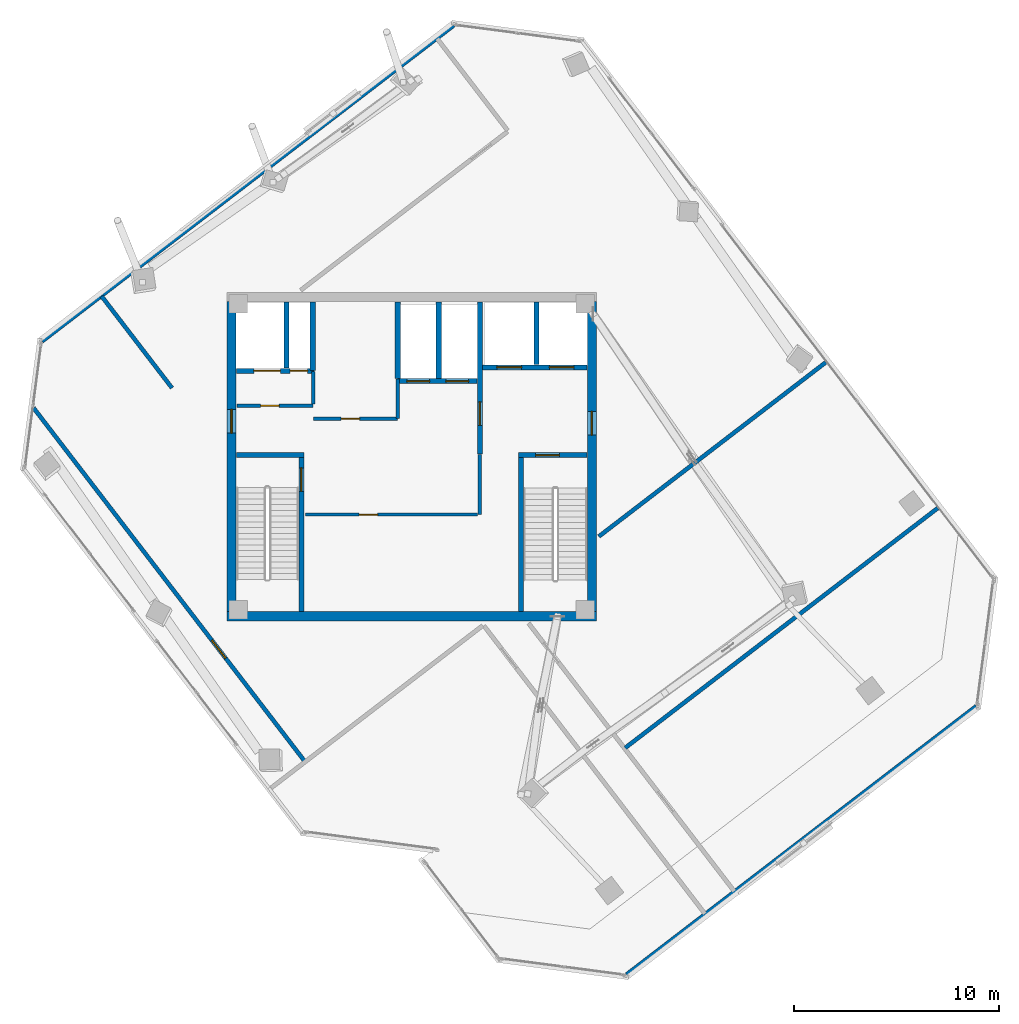
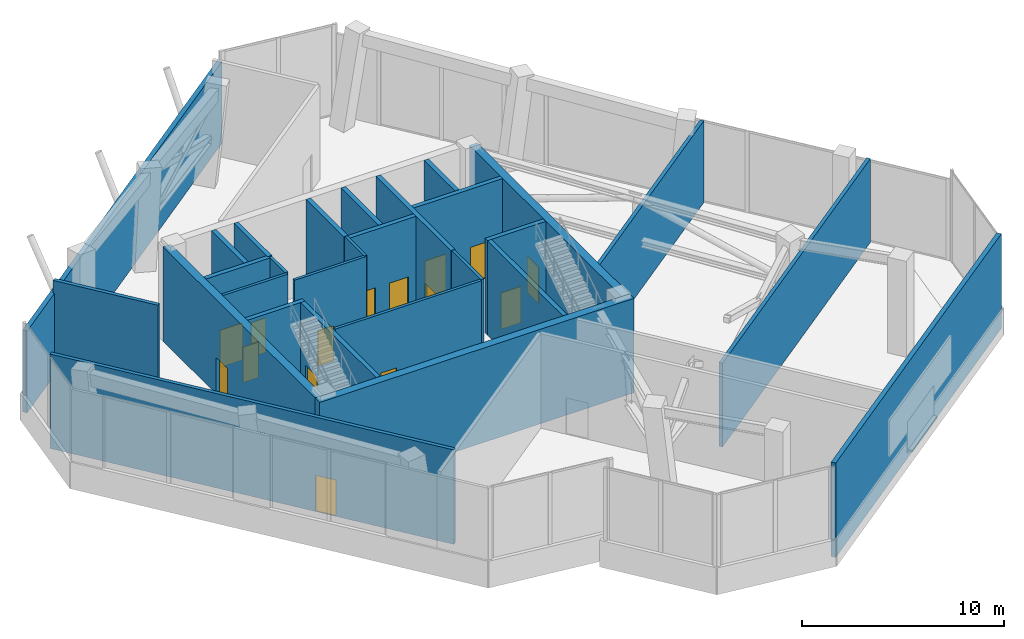
# One storey, part 15 of 19: 28 walls, 15 doors, 15 openings.
"""IFC4 building model written with IfcOpenShell, lengths in metres."""

from ifc_helpers import new_model, si_unit, direction, frame, frame_2d, origin, place, context, subcontext, project, spatial, rectangle, extrude, source, transform, mapped, material, layer, layer_set, type_object, element, fill, save


model = new_model("IFC4")

# Units and contexts
model_context = context("Model", 3, precision=1e-05, world=origin(), true_north=direction((0.0, 1.0)))
body_context = subcontext(model_context, "Body", "Model", "MODEL_VIEW")
ifc_project = project(units=[si_unit("LENGTHUNIT", "METRE"), si_unit("AREAUNIT", "SQUARE_METRE"), si_unit("VOLUMEUNIT", "CUBIC_METRE"), si_unit("PLANEANGLEUNIT", "RADIAN"), si_unit("MASSUNIT", "GRAM", prefix="KILO")], contexts=[model_context])

# Site, building, storey
site_placement = place(None, origin())
site = spatial("IfcSite", under=ifc_project, at=site_placement, CompositionType="ELEMENT")
building_placement = place(site_placement, origin())
building = spatial("IfcBuilding", under=site, at=building_placement, Name="Torre Montelarca", CompositionType="ELEMENT")
storey_placement = place(building_placement, frame((0.0, 0.0, 287.800048828125)))
storey = spatial("IfcBuildingStorey", under=building, at=storey_placement, Name="L65", CompositionType="ELEMENT", Elevation=287.800048828125)

# Wall, opening, door
ifc_material_1 = material(Name="Concrete C40/50", Category="concrete")
ifc_layer_1 = layer(ifc_material_1, 0.25, Name="Concrete C40/50", Category="concrete")
ifc_layer_set_1 = layer_set([ifc_layer_1], Name="Concrete C40/50")
wall_type_1 = type_object("IfcWallType", Name="CW-SHAFT-250", PredefinedType="SHEAR", material=ifc_layer_set_1)
wall_1_placement = place(storey_placement, frame((12.625, 24.4599609375, 0.0), z_axis=(0.0, 0.0, 1.0), x_axis=(0.0, 1.0, 0.0)))
wall_1 = element("IfcWall", 1, at=wall_1_placement, inside=storey, type_object=wall_type_1, Name="L65 Core Shear Wall SH-ST1-E", PredefinedType="SHEAR", context=body_context, shape_type="SweptSolid", body=[
    extrude(rectangle(XDim=7.489990234375, YDim=0.25, at=frame_2d((3.7451171875, 0.0))), origin(), (0.0, 0.0, 1.0), 5.719970703125),
])
opening_1_placement = place(wall_1_placement, frame((5.85009765625, 0.0, 0.0)))
opening_1 = element("IfcOpeningElement", 2, at=opening_1_placement, cuts=wall_1, Name="Opening FD-ST1", PredefinedType="OPENING", context=body_context, shape_type="SweptSolid", body=[
    extrude(rectangle(XDim=1.14990234375, YDim=2.199951171875, at=frame_2d((0.574951171875, 1.10009765625))), frame((0.0, 0.135009765625, 0.0), z_axis=(0.0, -1.0, 0.0), x_axis=(1.0, 0.0, 0.0)), (0.0, 0.0, 1.0), 0.27001953125),
])
ifc_material_2 = material(Name="Galvanized steel fire door", Category="steel")
door_type_1 = type_object("IfcDoorType", Name="DR-STAIR-115", OperationType="NOTDEFINED", PredefinedType="DOOR", material=ifc_material_2)
shared_shape_1 = source(origin(), body_context, "Body", "SweptSolid", [
    extrude(rectangle(XDim=1.14990234375, YDim=2.199951171875, at=frame_2d((0.574951171875, 1.10009765625))), frame((0.0, 0.02490234375, 0.0), z_axis=(0.0, -1.0, 0.0), x_axis=(1.0, 0.0, 0.0)), (0.0, 0.0, 1.0), 0.050048828125),
])
door_1_placement = place(opening_1_placement, origin())
door_1 = element("IfcDoor", 3, at=door_1_placement, inside=storey, type_object=door_type_1, Name="L65 Exit Stair ST1 Fire Door", OperationType="SINGLE_SWING_RIGHT", OverallHeight=2.199951171875, OverallWidth=1.14990234375, PredefinedType="DOOR", context=body_context, shape_type="MappedRepresentation", body=[
    mapped(shared_shape_1, transform((0.0, 0.0, 0.0), scale=1.0)),
])
fill(opening_1, door_1)

# Walls
wall_2_placement = place(storey_placement, frame((9.4599609375, 32.074951171875, 0.0), z_axis=(0.0, 0.0, 1.0), x_axis=(1.0, 0.0, 0.0)))
element("IfcWall", 4, at=wall_2_placement, inside=storey, type_object=wall_type_1, Name="L65 Core Shear Wall SH-ST1-N", PredefinedType="SHEAR", context=body_context, shape_type="SweptSolid", body=[
    extrude(rectangle(XDim=3.2900390625, YDim=0.25, at=frame_2d((1.64501953125, 0.0))), origin(), (0.0, 0.0, 1.0), 5.719970703125),
])
wall_3_placement = place(storey_placement, frame((23.31494140625, 24.4599609375, 0.0), z_axis=(0.0, 0.0, 1.0), x_axis=(0.0, 1.0, 0.0)))
element("IfcWall", 5, at=wall_3_placement, inside=storey, type_object=wall_type_1, Name="L65 Core Shear Wall SH-ST2-W", PredefinedType="SHEAR", context=body_context, shape_type="SweptSolid", body=[
    extrude(rectangle(XDim=7.489990234375, YDim=0.25, at=frame_2d((3.7451171875, 0.0))), origin(), (0.0, 0.0, 1.0), 5.719970703125),
])

# Wall, opening, door
wall_4_placement = place(storey_placement, frame((23.18994140625, 32.074951171875, 0.0), z_axis=(0.0, 0.0, 1.0), x_axis=(1.0, 0.0, 0.0)))
wall_4 = element("IfcWall", 6, at=wall_4_placement, inside=storey, type_object=wall_type_1, Name="L65 Core Shear Wall SH-ST2-N", PredefinedType="SHEAR", context=body_context, shape_type="SweptSolid", body=[
    extrude(rectangle(XDim=3.35009765625, YDim=0.25, at=frame_2d((1.675048828125, 0.0))), origin(), (0.0, 0.0, 1.0), 5.719970703125),
])
opening_2_placement = place(wall_4_placement, frame((0.85009765625, 0.0, 0.0)))
opening_2 = element("IfcOpeningElement", 7, at=opening_2_placement, cuts=wall_4, Name="Opening FD-ST1", PredefinedType="OPENING", context=body_context, shape_type="SweptSolid", body=[
    extrude(rectangle(XDim=1.14990234375, YDim=2.199951171875, at=frame_2d((0.574951171875, 1.10009765625))), frame((0.0, 0.135009765625, 0.0), z_axis=(0.0, -1.0, 0.0), x_axis=(1.0, 0.0, 0.0)), (0.0, 0.0, 1.0), 0.27001953125),
])
door_2_placement = place(opening_2_placement, origin())
door_2 = element("IfcDoor", 8, at=door_2_placement, inside=storey, type_object=door_type_1, Name="L65 Exit Stair ST2 Fire Door", OperationType="SINGLE_SWING_RIGHT", OverallHeight=2.199951171875, OverallWidth=1.14990234375, PredefinedType="DOOR", context=body_context, shape_type="MappedRepresentation", body=[
    mapped(shared_shape_1, transform((0.0, 0.0, 0.0), scale=1.0)),
])
fill(opening_2, door_2)

wall_5_placement = place(storey_placement, frame((21.320068359375, 32.1201171875, 0.0), z_axis=(0.0, 0.0, 1.0), x_axis=(0.0, 1.0, 0.0)))
wall_5 = element("IfcWall", 9, at=wall_5_placement, inside=storey, type_object=wall_type_1, Name="L65 Core Shear Wall SH-FFL-W", PredefinedType="SHEAR", context=body_context, shape_type="SweptSolid", body=[
    extrude(rectangle(XDim=7.419921875, YDim=0.25, at=frame_2d((3.7099609375, 0.0))), origin(), (0.0, 0.0, 1.0), 5.719970703125),
])
opening_3_placement = place(wall_5_placement, frame((1.39990234375, 0.0, 0.0)))
opening_3 = element("IfcOpeningElement", 10, at=opening_3_placement, cuts=wall_5, Name="Opening FD-LB1", PredefinedType="OPENING", context=body_context, shape_type="SweptSolid", body=[
    extrude(rectangle(XDim=1.14990234375, YDim=2.199951171875, at=frame_2d((0.574951171875, 1.10009765625))), frame((0.0, 0.135009765625, 0.0), z_axis=(0.0, -1.0, 0.0), x_axis=(1.0, 0.0, 0.0)), (0.0, 0.0, 1.0), 0.27001953125),
])
ifc_material_3 = material(Name="Acoustic timber-veneered fire door", Category="wood")
door_type_2 = type_object("IfcDoorType", Name="DR-LOBBY-115", OperationType="NOTDEFINED", PredefinedType="DOOR", material=ifc_material_3)
shared_shape_2 = source(origin(), body_context, "Body", "SweptSolid", [
    extrude(rectangle(XDim=1.14990234375, YDim=2.199951171875, at=frame_2d((0.574951171875, 1.10009765625))), frame((0.0, 0.02490234375, 0.0), z_axis=(0.0, -1.0, 0.0), x_axis=(1.0, 0.0, 0.0)), (0.0, 0.0, 1.0), 0.050048828125),
])
door_3_placement = place(opening_3_placement, origin())
door_3 = element("IfcDoor", 11, at=door_3_placement, inside=storey, type_object=door_type_2, Name="L65 Lift Lobby to Firefighting Lobby Smoke Door", OperationType="SINGLE_SWING_LEFT", OverallHeight=2.199951171875, OverallWidth=1.14990234375, PredefinedType="DOOR", context=body_context, shape_type="MappedRepresentation", body=[
    mapped(shared_shape_2, transform((0.0, 0.0, 0.0), scale=1.0)),
])
fill(opening_3, door_3)

# Wall, openings, doors
wall_6_placement = place(storey_placement, frame((9.4599609375, 36.179931640625, 0.0), z_axis=(0.0, 0.0, 1.0), x_axis=(1.0, 0.0, 0.0)))
wall_6 = element("IfcWall", 12, at=wall_6_placement, inside=storey, type_object=wall_type_1, Name="L65 Core Shear Wall SH-SV1-S", PredefinedType="SHEAR", context=body_context, shape_type="SweptSolid", body=[
    extrude(rectangle(XDim=3.7900390625, YDim=0.25, at=frame_2d((1.89501953125, 0.0))), origin(), (0.0, 0.0, 1.0), 5.719970703125),
])
opening_4_placement = place(wall_6_placement, frame((2.6201171875, 0.0, 0.0)))
opening_4 = element("IfcOpeningElement", 13, at=opening_4_placement, cuts=wall_6, Name="Opening FD-085", PredefinedType="OPENING", context=body_context, shape_type="SweptSolid", body=[
    extrude(rectangle(XDim=0.85009765625, YDim=2.10009765625, at=frame_2d((0.425048828125, 1.050048828125))), frame((0.0, 0.135009765625, 0.0), z_axis=(0.0, -1.0, 0.0), x_axis=(1.0, 0.0, 0.0)), (0.0, 0.0, 1.0), 0.27001953125),
])
opening_5_placement = place(wall_6_placement, frame((0.85009765625, 0.0, 0.0)))
opening_5 = element("IfcOpeningElement", 14, at=opening_5_placement, cuts=wall_6, Name="Opening LD-130", PredefinedType="OPENING", context=body_context, shape_type="SweptSolid", body=[
    extrude(rectangle(XDim=1.300048828125, YDim=2.25, at=frame_2d((0.64990234375, 1.125))), frame((0.0, 0.135009765625, 0.0), z_axis=(0.0, -1.0, 0.0), x_axis=(1.0, 0.0, 0.0)), (0.0, 0.0, 1.0), 0.27001953125),
])
ifc_material_4 = material(Name="Steel riser access fire door", Category="steel")
door_type_3 = type_object("IfcDoorType", Name="DR-RISER-085", OperationType="NOTDEFINED", PredefinedType="DOOR", material=ifc_material_4)
shared_shape_3 = source(origin(), body_context, "Body", "SweptSolid", [
    extrude(rectangle(XDim=0.85009765625, YDim=2.10009765625, at=frame_2d((0.425048828125, 1.050048828125))), frame((0.0, 0.02490234375, 0.0), z_axis=(0.0, -1.0, 0.0), x_axis=(1.0, 0.0, 0.0)), (0.0, 0.0, 1.0), 0.050048828125),
])
door_4_placement = place(opening_4_placement, origin())
door_4 = element("IfcDoor", 15, at=door_4_placement, inside=storey, type_object=door_type_3, Name="L65 Electrical Riser Shaft Access Door", OperationType="SINGLE_SWING_RIGHT", OverallHeight=2.10009765625, OverallWidth=0.85009765625, PredefinedType="DOOR", context=body_context, shape_type="MappedRepresentation", body=[
    mapped(shared_shape_3, transform((0.0, 0.0, 0.0), scale=1.0)),
])
fill(opening_4, door_4)
ifc_material_5 = material(Name="Brushed stainless steel AISI 316", Category="steel")
door_type_4 = type_object("IfcDoorType", Name="DR-LIFT-130", OperationType="SLIDING_TO_LEFT", PredefinedType="DOOR", material=ifc_material_5)
shared_shape_4 = source(origin(), body_context, "Body", "SweptSolid", [
    extrude(rectangle(XDim=1.300048828125, YDim=2.25, at=frame_2d((0.64990234375, 1.125))), frame((0.0, 0.02490234375, 0.0), z_axis=(0.0, -1.0, 0.0), x_axis=(1.0, 0.0, 0.0)), (0.0, 0.0, 1.0), 0.050048828125),
])
door_5_placement = place(opening_5_placement, origin())
door_5 = element("IfcDoor", 16, at=door_5_placement, inside=storey, type_object=door_type_4, Name="L65 Lift Landing Sliding Door SV-1", OperationType="SLIDING_TO_LEFT", OverallHeight=2.25, OverallWidth=1.300048828125, PredefinedType="DOOR", context=body_context, shape_type="MappedRepresentation", body=[
    mapped(shared_shape_4, transform((0.0, 0.0, 0.0), scale=1.0)),
])
fill(opening_5, door_5)

# Wall
wall_7_placement = place(storey_placement, frame((11.89990234375, 36.31005859375, 0.0), z_axis=(0.0, 0.0, 1.0), x_axis=(0.0, 1.0, 0.0)))
element("IfcWall", 17, at=wall_7_placement, inside=storey, type_object=wall_type_1, Name="L65 Core Shear Wall SH-SV1-E", PredefinedType="SHEAR", context=body_context, shape_type="SweptSolid", body=[
    extrude(rectangle(XDim=3.22998046875, YDim=0.25, at=frame_2d((1.614990234375, 0.0))), origin(), (0.0, 0.0, 1.0), 5.719970703125),
])

# Wall, openings, doors
wall_8_placement = place(storey_placement, frame((21.449951171875, 36.35009765625, 0.0), z_axis=(0.0, 0.0, 1.0), x_axis=(1.0, 0.0, 0.0)))
wall_8 = element("IfcWall", 18, at=wall_8_placement, inside=storey, type_object=wall_type_1, Name="L65 Core Shear Wall SH-FF-S", PredefinedType="SHEAR", context=body_context, shape_type="SweptSolid", body=[
    extrude(rectangle(XDim=5.090087890625, YDim=0.25, at=frame_2d((2.544921875, 0.0))), origin(), (0.0, 0.0, 1.0), 5.719970703125),
])
opening_6_placement = place(wall_8_placement, frame((0.699951171875, 0.0, 0.0)))
opening_6 = element("IfcOpeningElement", 19, at=opening_6_placement, cuts=wall_8, Name="Opening LD-120", PredefinedType="OPENING", context=body_context, shape_type="SweptSolid", body=[
    extrude(rectangle(XDim=1.199951171875, YDim=2.199951171875, at=frame_2d((0.60009765625, 1.10009765625))), frame((0.0, 0.135009765625, 0.0), z_axis=(0.0, -1.0, 0.0), x_axis=(1.0, 0.0, 0.0)), (0.0, 0.0, 1.0), 0.27001953125),
])
opening_7_placement = place(wall_8_placement, frame((3.25, 0.0, 0.0)))
opening_7 = element("IfcOpeningElement", 20, at=opening_7_placement, cuts=wall_8, Name="Opening LD-120", PredefinedType="OPENING", context=body_context, shape_type="SweptSolid", body=[
    extrude(rectangle(XDim=1.199951171875, YDim=2.199951171875, at=frame_2d((0.60009765625, 1.10009765625))), frame((0.0, 0.135009765625, 0.0), z_axis=(0.0, -1.0, 0.0), x_axis=(1.0, 0.0, 0.0)), (0.0, 0.0, 1.0), 0.27001953125),
])
door_type_5 = type_object("IfcDoorType", Name="DR-LIFT-120", OperationType="SLIDING_TO_RIGHT", PredefinedType="DOOR", material=ifc_material_5)
shared_shape_5 = source(origin(), body_context, "Body", "SweptSolid", [
    extrude(rectangle(XDim=1.199951171875, YDim=2.199951171875, at=frame_2d((0.60009765625, 1.10009765625))), frame((0.0, 0.02490234375, 0.0), z_axis=(0.0, -1.0, 0.0), x_axis=(1.0, 0.0, 0.0)), (0.0, 0.0, 1.0), 0.050048828125),
])
door_6_placement = place(opening_6_placement, origin())
door_6 = element("IfcDoor", 21, at=door_6_placement, inside=storey, type_object=door_type_5, Name="L65 Lift Landing Sliding Door FF-1", OperationType="SLIDING_TO_LEFT", OverallHeight=2.199951171875, OverallWidth=1.199951171875, PredefinedType="DOOR", context=body_context, shape_type="MappedRepresentation", body=[
    mapped(shared_shape_5, transform((0.0, 0.0, 0.0), scale=1.0)),
])
fill(opening_6, door_6)
door_7_placement = place(opening_7_placement, origin())
door_7 = element("IfcDoor", 22, at=door_7_placement, inside=storey, type_object=door_type_5, Name="L65 Lift Landing Sliding Door FF-2", OperationType="SLIDING_TO_RIGHT", OverallHeight=2.199951171875, OverallWidth=1.199951171875, PredefinedType="DOOR", context=body_context, shape_type="MappedRepresentation", body=[
    mapped(shared_shape_5, transform((0.0, 0.0, 0.0), scale=1.0)),
])
fill(opening_7, door_7)

# Walls
wall_9_placement = place(storey_placement, frame((24.080078125, 36.47998046875, 0.0), z_axis=(0.0, 0.0, 1.0), x_axis=(0.0, 1.0, 0.0)))
element("IfcWall", 23, at=wall_9_placement, inside=storey, type_object=wall_type_1, Name="L65 Core Shear Wall SH-FF-M", PredefinedType="SHEAR", context=body_context, shape_type="SweptSolid", body=[
    extrude(rectangle(XDim=3.06005859375, YDim=0.25, at=frame_2d((1.530029296875, 0.0))), origin(), (0.0, 0.0, 1.0), 5.719970703125),
])
wall_10_placement = place(storey_placement, frame((13.179931640625, 36.199951171875, 0.0), z_axis=(0.0, 0.0, 1.0), x_axis=(0.0, 1.0, 0.0)))
element("IfcWall", 24, at=wall_10_placement, inside=storey, type_object=wall_type_1, Name="L65 Core Shear Wall SH-RSR1-E", PredefinedType="SHEAR", context=body_context, shape_type="SweptSolid", body=[
    extrude(rectangle(XDim=3.340087890625, YDim=0.25, at=frame_2d((1.669921875, 0.0))), origin(), (0.0, 0.0, 1.0), 5.719970703125),
])

# Wall, openings, doors
wall_11_placement = place(storey_placement, frame((17.320068359375, 35.679931640625, 0.0), z_axis=(0.0, 0.0, 1.0), x_axis=(1.0, 0.0, 0.0)))
wall_11 = element("IfcWall", 25, at=wall_11_placement, inside=storey, type_object=wall_type_1, Name="L65 Core Shear Wall SH-PLH-S", PredefinedType="SHEAR", context=body_context, shape_type="SweptSolid", body=[
    extrude(rectangle(XDim=3.869873046875, YDim=0.25, at=frame_2d((1.93505859375, 0.0))), origin(), (0.0, 0.0, 1.0), 5.719970703125),
])
opening_8_placement = place(wall_11_placement, frame((0.449951171875, 0.0, 0.0)))
opening_8 = element("IfcOpeningElement", 26, at=opening_8_placement, cuts=wall_11, Name="Opening LD-110", PredefinedType="OPENING", context=body_context, shape_type="SweptSolid", body=[
    extrude(rectangle(XDim=1.10009765625, YDim=2.199951171875, at=frame_2d((0.550048828125, 1.10009765625))), frame((0.0, 0.135009765625, 0.0), z_axis=(0.0, -1.0, 0.0), x_axis=(1.0, 0.0, 0.0)), (0.0, 0.0, 1.0), 0.27001953125),
])
opening_9_placement = place(wall_11_placement, frame((2.35009765625, 0.0, 0.0)))
opening_9 = element("IfcOpeningElement", 27, at=opening_9_placement, cuts=wall_11, Name="Opening LD-110", PredefinedType="OPENING", context=body_context, shape_type="SweptSolid", body=[
    extrude(rectangle(XDim=1.10009765625, YDim=2.199951171875, at=frame_2d((0.550048828125, 1.10009765625))), frame((0.0, 0.135009765625, 0.0), z_axis=(0.0, -1.0, 0.0), x_axis=(1.0, 0.0, 0.0)), (0.0, 0.0, 1.0), 0.27001953125),
])
door_type_6 = type_object("IfcDoorType", Name="DR-LIFT-110", OperationType="SLIDING_TO_LEFT", PredefinedType="DOOR", material=ifc_material_5)
shared_shape_6 = source(origin(), body_context, "Body", "SweptSolid", [
    extrude(rectangle(XDim=1.10009765625, YDim=2.199951171875, at=frame_2d((0.550048828125, 1.10009765625))), frame((0.0, 0.02490234375, 0.0), z_axis=(0.0, -1.0, 0.0), x_axis=(1.0, 0.0, 0.0)), (0.0, 0.0, 1.0), 0.050048828125),
])
door_8_placement = place(opening_8_placement, origin())
door_8 = element("IfcDoor", 28, at=door_8_placement, inside=storey, type_object=door_type_6, Name="L65 Lift Landing Sliding Door PL-H1", OperationType="SLIDING_TO_LEFT", OverallHeight=2.199951171875, OverallWidth=1.10009765625, PredefinedType="DOOR", context=body_context, shape_type="MappedRepresentation", body=[
    mapped(shared_shape_6, transform((0.0, 0.0, 0.0), scale=1.0)),
])
fill(opening_8, door_8)
door_9_placement = place(opening_9_placement, origin())
door_9 = element("IfcDoor", 29, at=door_9_placement, inside=storey, type_object=door_type_6, Name="L65 Lift Landing Sliding Door PL-H2", OperationType="SLIDING_TO_RIGHT", OverallHeight=2.199951171875, OverallWidth=1.10009765625, PredefinedType="DOOR", context=body_context, shape_type="MappedRepresentation", body=[
    mapped(shared_shape_6, transform((0.0, 0.0, 0.0), scale=1.0)),
])
fill(opening_9, door_9)

# Walls
for number, where, z_axis, x_axis, name in (
    (30, (17.320068359375, 35.81005859375, 0.0), (0.0, 0.0, 1.0), (0.0, 1.0, 0.0), "L65 Core Shear Wall SH-PLH-W"),
    (31, (19.320068359375, 35.81005859375, 0.0), (0.0, 0.0, 1.0), (0.0, 1.0, 0.0), "L65 Core Shear Wall SH-PLH-M"),
):
    element("IfcWall", number, at=place(storey_placement, frame(where, z_axis=z_axis, x_axis=x_axis)), inside=storey, type_object=wall_type_1, Name=name, PredefinedType="SHEAR", context=body_context, shape_type="SweptSolid", body=[
        extrude(rectangle(XDim=3.72998046875, YDim=0.25, at=frame_2d((1.864990234375, 0.0))), origin(), (0.0, 0.0, 1.0), 5.719970703125),
    ])

# Wall, opening, door
ifc_material_6 = material(Name="Concrete C55/67", Category="concrete")
ifc_layer_2 = layer(ifc_material_6, 0.449951171875, Name="Concrete C55/67", Category="concrete")
ifc_layer_set_2 = layer_set([ifc_layer_2], Name="Concrete C55/67")
wall_type_2 = type_object("IfcWallType", Name="CW-SHEAR-450", PredefinedType="SHEAR", material=ifc_layer_set_2)
wall_12_placement = place(storey_placement, frame((9.22509765625, 24.449951171875, 0.0), z_axis=(0.0, 0.0, 1.0), x_axis=(0.0, 1.0, 0.0)))
wall_12 = element("IfcWall", 32, at=wall_12_placement, inside=storey, type_object=wall_type_2, Name="L65 Core Shear Wall CW-W", PredefinedType="SHEAR", context=body_context, shape_type="SweptSolid", body=[
    extrude(rectangle(XDim=15.10009765625, YDim=0.449951171875, at=frame_2d((7.550048828125, 0.0))), origin(), (0.0, 0.0, 1.0), 5.719970703125),
])
opening_10_placement = place(wall_12_placement, frame((8.699951171875, 0.0, 0.0)))
opening_10 = element("IfcOpeningElement", 33, at=opening_10_placement, cuts=wall_12, Name="Opening FD-LB1", PredefinedType="OPENING", context=body_context, shape_type="SweptSolid", body=[
    extrude(rectangle(XDim=1.14990234375, YDim=2.199951171875, at=frame_2d((0.574951171875, 1.10009765625))), frame((0.0, 0.23486328125, 0.0), z_axis=(0.0, -1.0, 0.0), x_axis=(1.0, 0.0, 0.0)), (0.0, 0.0, 1.0), 0.469970703125),
])
door_10_placement = place(opening_10_placement, origin())
door_10 = element("IfcDoor", 34, at=door_10_placement, inside=storey, type_object=door_type_2, Name="L65 Passenger Lift Lobby West Corridor Fire Door", OperationType="SINGLE_SWING_RIGHT", OverallHeight=2.199951171875, OverallWidth=1.14990234375, PredefinedType="DOOR", context=body_context, shape_type="MappedRepresentation", body=[
    mapped(shared_shape_2, transform((0.0, 0.0, 0.0), scale=1.0)),
])
fill(opening_10, door_10)

wall_13_placement = place(storey_placement, frame((26.77490234375, 24.449951171875, 0.0), z_axis=(0.0, 0.0, 1.0), x_axis=(0.0, 1.0, 0.0)))
wall_13 = element("IfcWall", 35, at=wall_13_placement, inside=storey, type_object=wall_type_2, Name="L65 Core Shear Wall CW-E", PredefinedType="SHEAR", context=body_context, shape_type="SweptSolid", body=[
    extrude(rectangle(XDim=15.10009765625, YDim=0.449951171875, at=frame_2d((7.550048828125, 0.0))), origin(), (0.0, 0.0, 1.0), 5.719970703125),
])
opening_11_placement = place(wall_13_placement, frame((8.60009765625, 0.0, 0.0)))
opening_11 = element("IfcOpeningElement", 36, at=opening_11_placement, cuts=wall_13, Name="Opening FD-LB1", PredefinedType="OPENING", context=body_context, shape_type="SweptSolid", body=[
    extrude(rectangle(XDim=1.14990234375, YDim=2.199951171875, at=frame_2d((0.574951171875, 1.10009765625))), frame((0.0, 0.23486328125, 0.0), z_axis=(0.0, -1.0, 0.0), x_axis=(1.0, 0.0, 0.0)), (0.0, 0.0, 1.0), 0.469970703125),
])
door_11_placement = place(opening_11_placement, origin())
door_11 = element("IfcDoor", 37, at=door_11_placement, inside=storey, type_object=door_type_2, Name="L65 Firefighting Lift Lobby Corridor Fire Door", OperationType="SINGLE_SWING_RIGHT", OverallHeight=2.199951171875, OverallWidth=1.14990234375, PredefinedType="DOOR", context=body_context, shape_type="MappedRepresentation", body=[
    mapped(shared_shape_2, transform((0.0, 0.0, 0.0), scale=1.0)),
])
fill(opening_11, door_11)

# Walls
wall_14_placement = place(storey_placement, frame((9.0, 24.22509765625, 0.0), z_axis=(0.0, 0.0, 1.0), x_axis=(1.0, 0.0, 0.0)))
element("IfcWall", 38, at=wall_14_placement, inside=storey, type_object=wall_type_2, Name="L65 Core Shear Wall CW-S1", PredefinedType="SHEAR", context=body_context, shape_type="SweptSolid", body=[
    extrude(rectangle(XDim=18.0, YDim=0.449951171875, at=frame_2d((9.0, 0.0))), origin(), (0.0, 0.0, 1.0), 5.719970703125),
])
ifc_material_7 = material(Name="Precast concrete C45/55", Category="concrete")
ifc_layer_3 = layer(ifc_material_7, 0.25, Name="Precast concrete C45/55", Category="concrete")
ifc_layer_set_3 = layer_set([ifc_layer_3], Name="Precast concrete C45/55")
wall_type_3 = type_object("IfcWallType", Name="EW-CONC-250", PredefinedType="SOLIDWALL", material=ifc_layer_set_3)
wall_15_placement = place(storey_placement, frame((28.47265625, 6.758544921875, 0.0), z_axis=(0.0, 0.0, 1.0), x_axis=(0.793348027375, 0.608768352873, 0.0)))
element("IfcWall", 39, at=wall_15_placement, inside=storey, type_object=wall_type_3, Name="L65 Mechanical Belt-Truss Louvre Wall E06", PredefinedType="SOLIDWALL", context=body_context, shape_type="SweptSolid", body=[
    extrude(rectangle(XDim=21.468505859375, YDim=0.25, at=frame_2d((10.734375, 0.0))), origin(), (0.0, 0.0, 1.0), 5.719970703125),
])
wall_16_placement = place(storey_placement, frame((20.0341796875, 53.021728515625, 0.0), z_axis=(0.0, 0.0, 1.0), x_axis=(-0.793352190684, -0.608762927203, 0.0)))
element("IfcWall", 40, at=wall_16_placement, inside=storey, type_object=wall_type_3, Name="L65 Mechanical Belt-Truss Louvre Wall E10", PredefinedType="SOLIDWALL", context=body_context, shape_type="SweptSolid", body=[
    extrude(rectangle(XDim=25.2685546875, YDim=0.25, at=frame_2d((12.63427734375, 0.0))), origin(), (0.0, 0.0, 1.0), 4.954833984375),
])

# Wall, opening, door
ifc_material_8 = material(Name="Gypsum plasterboard on steel stud", Category="steel")
ifc_layer_4 = layer(ifc_material_8, 0.159912109375, Name="Gypsum plasterboard on steel stud", Category="steel")
ifc_layer_set_4 = layer_set([ifc_layer_4], Name="Gypsum plasterboard on steel stud")
wall_type_4 = type_object("IfcWallType", Name="PW-FIRE-160", PredefinedType="PARTITIONING", material=ifc_layer_set_4)
wall_17_placement = place(storey_placement, frame((9.489990234375, 34.47998046875, 0.0), z_axis=(0.0, 0.0, 1.0), x_axis=(1.0, 0.0, 0.0)))
wall_17 = element("IfcWall", 41, at=wall_17_placement, inside=storey, type_object=wall_type_4, Name="L65 Interior Partition CW-L65-SVS", PredefinedType="PARTITIONING", context=body_context, shape_type="SweptSolid", body=[
    extrude(rectangle(XDim=3.699951171875, YDim=0.159912109375, at=frame_2d((1.85009765625, 0.0))), origin(), (0.0, 0.0, 1.0), 5.719970703125),
])
opening_12_placement = place(wall_17_placement, frame((1.14990234375, 0.0, 0.0)))
opening_12 = element("IfcOpeningElement", 42, at=opening_12_placement, cuts=wall_17, Name="Opening FD-090", PredefinedType="OPENING", context=body_context, shape_type="SweptSolid", body=[
    extrude(rectangle(XDim=0.89990234375, YDim=2.14990234375, at=frame_2d((0.449951171875, 1.074951171875))), frame((0.0, 0.08984375, 0.0), z_axis=(0.0, -1.0, 0.0), x_axis=(1.0, 0.0, 0.0)), (0.0, 0.0, 1.0), 0.179931640625),
])
ifc_material_9 = material(Name="Steel service fire door", Category="steel")
door_type_7 = type_object("IfcDoorType", Name="DR-FIRE-090", OperationType="NOTDEFINED", PredefinedType="DOOR", material=ifc_material_9)
shared_shape_7 = source(origin(), body_context, "Body", "SweptSolid", [
    extrude(rectangle(XDim=0.89990234375, YDim=2.14990234375, at=frame_2d((0.449951171875, 1.074951171875))), frame((0.0, 0.02490234375, 0.0), z_axis=(0.0, -1.0, 0.0), x_axis=(1.0, 0.0, 0.0)), (0.0, 0.0, 1.0), 0.050048828125),
])
door_12_placement = place(opening_12_placement, origin())
door_12 = element("IfcDoor", 43, at=door_12_placement, inside=storey, type_object=door_type_7, Name="L65 Interior Door 01", OperationType="SINGLE_SWING_RIGHT", OverallHeight=2.14990234375, OverallWidth=0.89990234375, PredefinedType="DOOR", context=body_context, shape_type="MappedRepresentation", body=[
    mapped(shared_shape_7, transform((0.0, 0.0, 0.0), scale=1.0)),
])
fill(opening_12, door_12)

# Wall
wall_18_placement = place(storey_placement, frame((13.199951171875, 34.570068359375, 0.0), z_axis=(0.0, 0.0, 1.0), x_axis=(0.0, 1.0, 0.0)))
element("IfcWall", 44, at=wall_18_placement, inside=storey, type_object=wall_type_4, Name="L65 Interior Partition CW-L65-SVE", PredefinedType="PARTITIONING", context=body_context, shape_type="SweptSolid", body=[
    extrude(rectangle(XDim=1.56982421875, YDim=0.159912109375, at=frame_2d((0.784912109375, 0.0))), origin(), (0.0, 0.0, 1.0), 5.719970703125),
])

# Wall, opening, door
wall_19_placement = place(storey_placement, frame((13.2099609375, 33.85009765625, 0.0), z_axis=(0.0, 0.0, 1.0), x_axis=(1.0, 0.0, 0.0)))
wall_19 = element("IfcWall", 45, at=wall_19_placement, inside=storey, type_object=wall_type_4, Name="L65 Interior Partition CW-L65-FRMS", PredefinedType="PARTITIONING", context=body_context, shape_type="SweptSolid", body=[
    extrude(rectangle(XDim=4.10009765625, YDim=0.159912109375, at=frame_2d((2.050048828125, 0.0))), origin(), (0.0, 0.0, 1.0), 5.719970703125),
])
opening_13_placement = place(wall_19_placement, frame((1.35009765625, 0.0, 0.0)))
opening_13 = element("IfcOpeningElement", 46, at=opening_13_placement, cuts=wall_19, Name="Opening FD-090", PredefinedType="OPENING", context=body_context, shape_type="SweptSolid", body=[
    extrude(rectangle(XDim=0.89990234375, YDim=2.14990234375, at=frame_2d((0.449951171875, 1.074951171875))), frame((0.0, 0.08984375, 0.0), z_axis=(0.0, -1.0, 0.0), x_axis=(1.0, 0.0, 0.0)), (0.0, 0.0, 1.0), 0.179931640625),
])
door_13_placement = place(opening_13_placement, origin())
door_13 = element("IfcDoor", 47, at=door_13_placement, inside=storey, type_object=door_type_7, Name="L65 Interior Door 02", OperationType="SINGLE_SWING_LEFT", OverallHeight=2.14990234375, OverallWidth=0.89990234375, PredefinedType="DOOR", context=body_context, shape_type="MappedRepresentation", body=[
    mapped(shared_shape_7, transform((0.0, 0.0, 0.0), scale=1.0)),
])
fill(opening_13, door_13)

# Wall
wall_20_placement = place(storey_placement, frame((17.320068359375, 33.860107421875, 0.0), z_axis=(0.0, 0.0, 1.0), x_axis=(0.0, 1.0, 0.0)))
element("IfcWall", 48, at=wall_20_placement, inside=storey, type_object=wall_type_4, Name="L65 Interior Partition CW-L65-FRME", PredefinedType="PARTITIONING", context=body_context, shape_type="SweptSolid", body=[
    extrude(rectangle(XDim=1.929931640625, YDim=0.159912109375, at=frame_2d((0.96484375, 0.0))), origin(), (0.0, 0.0, 1.0), 5.719970703125),
])

# Wall, opening, door
wall_21_placement = place(storey_placement, frame((12.840087890625, 29.179931640625, 0.0), z_axis=(0.0, 0.0, 1.0), x_axis=(1.0, 0.0, 0.0)))
wall_21 = element("IfcWall", 49, at=wall_21_placement, inside=storey, type_object=wall_type_4, Name="L65 Interior Partition CW-L65-FRDN", PredefinedType="PARTITIONING", context=body_context, shape_type="SweptSolid", body=[
    extrude(rectangle(XDim=8.369873046875, YDim=0.159912109375, at=frame_2d((4.18505859375, 0.0))), origin(), (0.0, 0.0, 1.0), 5.719970703125),
])
opening_14_placement = place(wall_21_placement, frame((2.60009765625, 0.0, 0.0)))
opening_14 = element("IfcOpeningElement", 50, at=opening_14_placement, cuts=wall_21, Name="Opening FD-090", PredefinedType="OPENING", context=body_context, shape_type="SweptSolid", body=[
    extrude(rectangle(XDim=0.89990234375, YDim=2.14990234375, at=frame_2d((0.449951171875, 1.074951171875))), frame((0.0, 0.08984375, 0.0), z_axis=(0.0, -1.0, 0.0), x_axis=(1.0, 0.0, 0.0)), (0.0, 0.0, 1.0), 0.179931640625),
])
door_14_placement = place(opening_14_placement, origin())
door_14 = element("IfcDoor", 51, at=door_14_placement, inside=storey, type_object=door_type_7, Name="L65 Interior Door 03", OperationType="SINGLE_SWING_LEFT", OverallHeight=2.14990234375, OverallWidth=0.89990234375, PredefinedType="DOOR", context=body_context, shape_type="MappedRepresentation", body=[
    mapped(shared_shape_7, transform((0.0, 0.0, 0.0), scale=1.0)),
])
fill(opening_14, door_14)

# Wall
wall_22_placement = place(storey_placement, frame((21.320068359375, 29.18994140625, 0.0), z_axis=(0.0, 0.0, 1.0), x_axis=(0.0, 1.0, 0.0)))
element("IfcWall", 52, at=wall_22_placement, inside=storey, type_object=wall_type_4, Name="L65 Interior Partition CW-L65-FRE", PredefinedType="PARTITIONING", context=body_context, shape_type="SweptSolid", body=[
    extrude(rectangle(XDim=2.920166015625, YDim=0.159912109375, at=frame_2d((1.4599609375, 0.0))), origin(), (0.0, 0.0, 1.0), 5.719970703125),
])

# Wall, opening, door
ifc_material_10 = material(Name="Gypsum fireboard and rockwool on steel stud", Category="steel")
ifc_layer_5 = layer(ifc_material_10, 0.199951171875, Name="Gypsum fireboard and rockwool on steel stud", Category="steel")
ifc_layer_set_5 = layer_set([ifc_layer_5], Name="Gypsum fireboard and rockwool on steel stud")
wall_type_5 = type_object("IfcWallType", Name="PW-FIRE-200", PredefinedType="SOLIDWALL", material=ifc_layer_set_5)
wall_23_placement = place(storey_placement, frame((-0.41259765625, 34.372802734375, 0.0), z_axis=(0.0, 0.0, 1.0), x_axis=(0.608759126262, -0.793355107246, 0.0)))
wall_23 = element("IfcWall", 53, at=wall_23_placement, inside=storey, type_object=wall_type_5, Name="L65 Interior Partition W-L65-REFS", PredefinedType="SOLIDWALL", context=body_context, shape_type="SweptSolid", body=[
    extrude(rectangle(XDim=21.68212890625, YDim=0.199951171875, at=frame_2d((10.841064453125, 0.0))), origin(), (0.0, 0.0, 1.0), 5.719970703125),
])
opening_15_placement = place(wall_23_placement, frame((14.260009765625, 0.0, 0.0)))
opening_15 = element("IfcOpeningElement", 54, at=opening_15_placement, cuts=wall_23, Name="Opening FD-110", PredefinedType="OPENING", context=body_context, shape_type="SweptSolid", body=[
    extrude(rectangle(XDim=1.10009765625, YDim=2.199951171875, at=frame_2d((0.550048828125, 1.10009765625))), frame((0.0, 0.10986328125, 0.0), z_axis=(0.0, -1.0, 0.0), x_axis=(1.0, 0.0, 0.0)), (0.0, 0.0, 1.0), 0.219970703125),
])
ifc_material_11 = material(Name="Timber fire-rated suite door", Category="wood")
door_type_8 = type_object("IfcDoorType", Name="DR-FIRE-110", OperationType="NOTDEFINED", PredefinedType="DOOR", material=ifc_material_11)
shared_shape_8 = source(origin(), body_context, "Body", "SweptSolid", [
    extrude(rectangle(XDim=1.10009765625, YDim=2.199951171875, at=frame_2d((0.550048828125, 1.10009765625))), frame((0.0, 0.02490234375, 0.0), z_axis=(0.0, -1.0, 0.0), x_axis=(1.0, 0.0, 0.0)), (0.0, 0.0, 1.0), 0.050048828125),
])
door_15_placement = place(opening_15_placement, origin())
door_15 = element("IfcDoor", 55, at=door_15_placement, inside=storey, type_object=door_type_8, Name="L65 Interior Door 04", OperationType="SINGLE_SWING_RIGHT", OverallHeight=2.199951171875, OverallWidth=1.10009765625, PredefinedType="DOOR", context=body_context, shape_type="MappedRepresentation", body=[
    mapped(shared_shape_8, transform((0.0, 0.0, 0.0), scale=1.0)),
])
fill(opening_15, door_15)

# Walls
wall_24_placement = place(storey_placement, frame((27.11181640625, 28.113037109375, 0.0), z_axis=(0.0, 0.0, 1.0), x_axis=(0.793358129931, 0.608755186977, 0.0)))
element("IfcWall", 56, at=wall_24_placement, inside=storey, type_object=wall_type_5, Name="L65 Interior Partition W-L65-PAHUW", PredefinedType="SOLIDWALL", context=body_context, shape_type="SweptSolid", body=[
    extrude(rectangle(XDim=13.93408203125, YDim=0.199951171875, at=frame_2d((6.967041015625, 0.0))), origin(), (0.0, 0.0, 1.0), 4.954833984375),
])
wall_25_placement = place(storey_placement, frame((28.398193359375, 17.819091796875, 0.0), z_axis=(0.0, 0.0, 1.0), x_axis=(0.793359220406, 0.608753765818, 0.0)))
element("IfcWall", 57, at=wall_25_placement, inside=storey, type_object=wall_type_5, Name="L65 Interior Partition W-L65-AHUD", PredefinedType="SOLIDWALL", context=body_context, shape_type="SweptSolid", body=[
    extrude(rectangle(XDim=19.18017578125, YDim=0.199951171875, at=frame_2d((9.590087890625, 0.0))), origin(), (0.0, 0.0, 1.0), 5.068359375),
])
wall_26_placement = place(storey_placement, frame((2.90087890625, 39.81201171875, 0.0), z_axis=(0.0, 0.0, 1.0), x_axis=(0.608733737657, -0.793374587845, 0.0)))
element("IfcWall", 58, at=wall_26_placement, inside=storey, type_object=wall_type_5, Name="L65 Interior Partition W-L65-ELECS", PredefinedType="SOLIDWALL", context=body_context, shape_type="SweptSolid", body=[
    extrude(rectangle(XDim=5.630126953125, YDim=0.199951171875, at=frame_2d((2.81494140625, 0.0))), origin(), (0.0, 0.0, 1.0), 5.719970703125),
])

save(model, "model.ifc")
